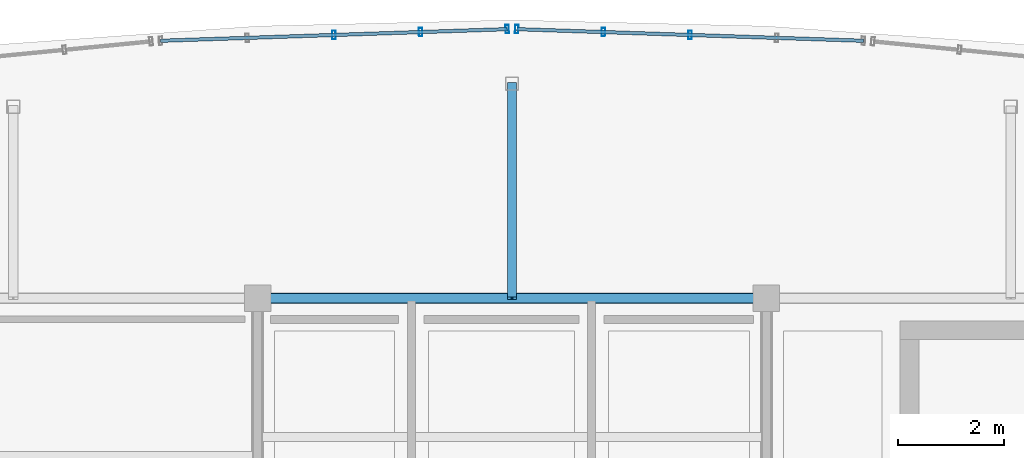
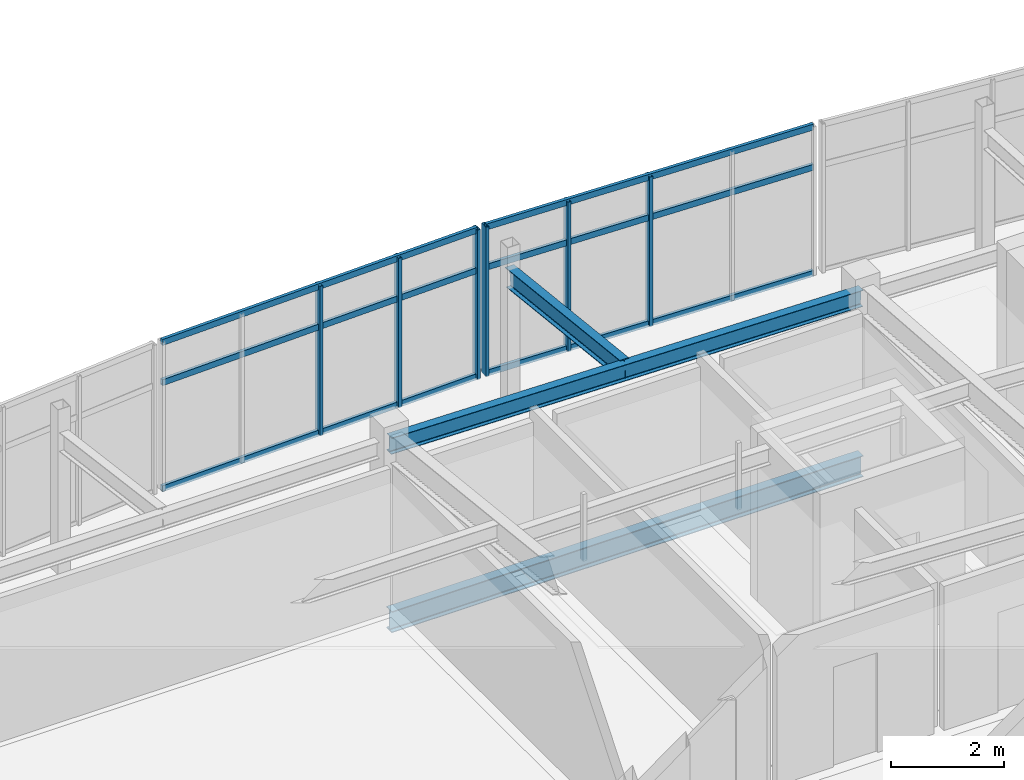
# One storey, part 46 of 65: 14 members, 1 beam, 2 elements without a shape of their own.
"""IFC4 building model written with IfcOpenShell, lengths in metres."""

from ifc_helpers import new_model, si_unit, direction, frame, origin, origin_2d, place, context, subcontext, project, spatial, hollow_rectangle, i_section, extrude, material, layer, layer_set, material_profile, profile_set, type_object, element, aggregate, save


model = new_model("IFC4")

# Units and contexts
model_context = context("Model", 3, precision=1e-05, world=origin(), true_north=direction((0.0, 1.0)))
body_context = subcontext(model_context, "Body", "Model", "MODEL_VIEW")
ifc_project = project(units=[si_unit("LENGTHUNIT", "METRE"), si_unit("AREAUNIT", "SQUARE_METRE"), si_unit("VOLUMEUNIT", "CUBIC_METRE"), si_unit("PLANEANGLEUNIT", "RADIAN"), si_unit("MASSUNIT", "GRAM", prefix="KILO")], contexts=[model_context])

# Site, building, storey
site_placement = place(None, origin())
site = spatial("IfcSite", under=ifc_project, at=site_placement, CompositionType="ELEMENT")
building_placement = place(site_placement, origin())
building = spatial("IfcBuilding", under=site, at=building_placement, Name="Chalmorin Arch Market", CompositionType="ELEMENT")
storey_placement = place(building_placement, frame((0.0, 0.0, 14.10009765625)))
storey = spatial("IfcBuildingStorey", under=building, at=storey_placement, Name="L03", CompositionType="ELEMENT", Elevation=14.10009765625)

# Curtain wall, members
ifc_material_1 = material(Name="Aluminium 6063-T6", Category="aluminium")
ifc_layer = layer(ifc_material_1, 0.159912109375)
ifc_layer_set = layer_set([ifc_layer], Name="Aluminium 6063-T6")
curtain_wall_type = type_object("IfcCurtainWallType", Name="CulinaryStudioCurtainWall-CW3-6540x3220", PredefinedType="NOTDEFINED", material=ifc_layer_set)
curtain_wall_1_placement = place(storey_placement, origin())
curtain_wall_1 = element("IfcCurtainWall", 1, at=curtain_wall_1_placement, inside=storey, type_object=curtain_wall_type, Name="CW-03-135", PredefinedType="NOTDEFINED")
ifc_material_profile_1 = material_profile(ifc_material_1, hollow_rectangle(XDim=0.06494140625, YDim=0.159912109375, WallThickness=0.00390625, at=origin_2d()), Name="ALU65X160X4")
ifc_profile_set_1 = profile_set([ifc_material_profile_1], Name="Aluminium 6063-T6")
member_type_1 = type_object("IfcMemberType", Name="CurtainWallMullion-65x160", PredefinedType="MULLION", material=ifc_profile_set_1)
member_1_placement = place(storey_placement, frame((78.239990234375, 122.967529296875, -0.02001953125), z_axis=(0.0, 0.0, 1.0), x_axis=(0.999390827019, 0.034899496703, 0.0)))
member_1 = element("IfcMember", 2, at=member_1_placement, type_object=member_type_1, Name="ML-135-03", PredefinedType="MULLION", context=body_context, shape_type="SweptSolid", body=[
    extrude(hollow_rectangle(XDim=0.06494140625, YDim=0.159912109375, WallThickness=0.00390625, at=origin_2d()), origin(), (0.0, 0.0, 1.0), 3.219970703125),
])
member_2_placement = place(storey_placement, frame((79.875, 123.022216796875, -0.02001953125), z_axis=(0.0, 0.0, 1.0), x_axis=(0.999390827019, 0.034899496703, 0.0)))
member_2 = element("IfcMember", 3, at=member_2_placement, type_object=member_type_1, Name="ML-135-04", PredefinedType="MULLION", context=body_context, shape_type="SweptSolid", body=[
    extrude(hollow_rectangle(XDim=0.06494140625, YDim=0.159912109375, WallThickness=0.00390625, at=origin_2d()), origin(), (0.0, 0.0, 1.0), 3.219970703125),
])
member_3_placement = place(storey_placement, frame((81.510009765625, 123.076904296875, -0.02001953125), z_axis=(0.0, 0.0, 1.0), x_axis=(0.999390827019, 0.034899496703, 0.0)))
member_3 = element("IfcMember", 4, at=member_3_placement, type_object=member_type_1, Name="ML-135-05", PredefinedType="MULLION", context=body_context, shape_type="SweptSolid", body=[
    extrude(hollow_rectangle(XDim=0.06494140625, YDim=0.159912109375, WallThickness=0.00390625, at=origin_2d()), origin(), (0.0, 0.0, 1.0), 3.219970703125),
])

curtain_wall_2_placement = place(storey_placement, origin())
curtain_wall_2 = element("IfcCurtainWall", 5, at=curtain_wall_2_placement, inside=storey, type_object=curtain_wall_type, Name="CW-03-138", PredefinedType="NOTDEFINED")
member_4_placement = place(storey_placement, frame((81.68994140625, 123.076904296875, -0.02001953125), z_axis=(0.0, 0.0, 1.0), x_axis=(0.999390827019, -0.034899496703, 0.0)))
member_4 = element("IfcMember", 6, at=member_4_placement, type_object=member_type_1, Name="ML-138-01", PredefinedType="MULLION", context=body_context, shape_type="SweptSolid", body=[
    extrude(hollow_rectangle(XDim=0.06494140625, YDim=0.159912109375, WallThickness=0.00390625, at=origin_2d()), origin(), (0.0, 0.0, 1.0), 3.219970703125),
])
member_5_placement = place(storey_placement, frame((83.324951171875, 123.022216796875, -0.02001953125), z_axis=(0.0, 0.0, 1.0), x_axis=(0.999390827019, -0.034899496703, 0.0)))
member_5 = element("IfcMember", 7, at=member_5_placement, type_object=member_type_1, Name="ML-138-02", PredefinedType="MULLION", context=body_context, shape_type="SweptSolid", body=[
    extrude(hollow_rectangle(XDim=0.06494140625, YDim=0.159912109375, WallThickness=0.00390625, at=origin_2d()), origin(), (0.0, 0.0, 1.0), 3.219970703125),
])
member_6_placement = place(storey_placement, frame((84.9599609375, 122.967529296875, -0.02001953125), z_axis=(0.0, 0.0, 1.0), x_axis=(0.999390827019, -0.034899496703, 0.0)))
member_6 = element("IfcMember", 8, at=member_6_placement, type_object=member_type_1, Name="ML-138-03", PredefinedType="MULLION", context=body_context, shape_type="SweptSolid", body=[
    extrude(hollow_rectangle(XDim=0.06494140625, YDim=0.159912109375, WallThickness=0.00390625, at=origin_2d()), origin(), (0.0, 0.0, 1.0), 3.219970703125),
])

# Member
ifc_material_profile_2 = material_profile(ifc_material_1, hollow_rectangle(XDim=0.06494140625, YDim=0.1298828125, WallThickness=0.00390625, at=origin_2d()), Name="ALU65X130X4")
ifc_profile_set_2 = profile_set([ifc_material_profile_2], Name="Aluminium 6063-T6")
member_type_2 = type_object("IfcMemberType", Name="CurtainWallTransom-65x130", PredefinedType="USERDEFINED", material=ifc_profile_set_2)
member_7_placement = place(storey_placement, frame((74.969970703125, 122.85791015625, 0.014892578125), z_axis=(0.999439843627, 0.033466385685, 0.0), x_axis=(-0.033466385685, 0.999439843627, 0.0)))
member_7 = element("IfcMember", 9, at=member_7_placement, type_object=member_type_2, Name="TR-135-01", ObjectType="TRANSOM", PredefinedType="USERDEFINED", context=body_context, shape_type="SweptSolid", body=[
    extrude(hollow_rectangle(XDim=0.06494140625, YDim=0.1298828125, WallThickness=0.00390625, at=origin_2d()), origin(), (0.0, 0.0, 1.0), 6.543701171875),
])

member_8_placement = place(storey_placement, frame((74.969970703125, 122.85791015625, 2.29833984375), z_axis=(0.999439843627, 0.033466385685, 0.0), x_axis=(-0.033466385685, 0.999439843627, 0.0)))
member_8 = element("IfcMember", 10, at=member_8_placement, type_object=member_type_2, Name="TR-135-02", ObjectType="TRANSOM", PredefinedType="USERDEFINED", context=body_context, shape_type="SweptSolid", body=[
    extrude(hollow_rectangle(XDim=0.06494140625, YDim=0.1298828125, WallThickness=0.00390625, at=origin_2d()), origin(), (0.0, 0.0, 1.0), 6.543701171875),
])

member_9_placement = place(storey_placement, frame((74.969970703125, 122.85791015625, 3.164794921875), z_axis=(0.999439843627, 0.033466385685, 0.0), x_axis=(-0.033466385685, 0.999439843627, 0.0)))
member_9 = element("IfcMember", 11, at=member_9_placement, type_object=member_type_2, Name="TR-135-03", ObjectType="TRANSOM", PredefinedType="USERDEFINED", context=body_context, shape_type="SweptSolid", body=[
    extrude(hollow_rectangle(XDim=0.06494140625, YDim=0.1298828125, WallThickness=0.00390625, at=origin_2d()), origin(), (0.0, 0.0, 1.0), 6.543701171875),
])

aggregate(curtain_wall_1, [member_1, member_2, member_3, member_7, member_8, member_9])

member_10_placement = place(storey_placement, frame((81.68994140625, 123.076904296875, 0.014892578125), z_axis=(0.999439843627, -0.033466385685, 0.0), x_axis=(0.033466385685, 0.999439843627, 0.0)))
member_10 = element("IfcMember", 12, at=member_10_placement, type_object=member_type_2, Name="TR-138-01", ObjectType="TRANSOM", PredefinedType="USERDEFINED", context=body_context, shape_type="SweptSolid", body=[
    extrude(hollow_rectangle(XDim=0.06494140625, YDim=0.1298828125, WallThickness=0.00390625, at=origin_2d()), origin(), (0.0, 0.0, 1.0), 6.543701171875),
])

member_11_placement = place(storey_placement, frame((81.68994140625, 123.076904296875, 2.29833984375), z_axis=(0.999439843627, -0.033466385685, 0.0), x_axis=(0.033466385685, 0.999439843627, 0.0)))
member_11 = element("IfcMember", 13, at=member_11_placement, type_object=member_type_2, Name="TR-138-02", ObjectType="TRANSOM", PredefinedType="USERDEFINED", context=body_context, shape_type="SweptSolid", body=[
    extrude(hollow_rectangle(XDim=0.06494140625, YDim=0.1298828125, WallThickness=0.00390625, at=origin_2d()), origin(), (0.0, 0.0, 1.0), 6.543701171875),
])

member_12_placement = place(storey_placement, frame((81.68994140625, 123.076904296875, 3.164794921875), z_axis=(0.999439843627, -0.033466385685, 0.0), x_axis=(0.033466385685, 0.999439843627, 0.0)))
member_12 = element("IfcMember", 14, at=member_12_placement, type_object=member_type_2, Name="TR-138-03", ObjectType="TRANSOM", PredefinedType="USERDEFINED", context=body_context, shape_type="SweptSolid", body=[
    extrude(hollow_rectangle(XDim=0.06494140625, YDim=0.1298828125, WallThickness=0.00390625, at=origin_2d()), origin(), (0.0, 0.0, 1.0), 6.543701171875),
])

aggregate(curtain_wall_2, [member_4, member_5, member_6, member_10, member_11, member_12])

# Beam
ifc_material_2 = material(Name="Steel A992 Grade 50", Category="steel")
ifc_material_profile_3 = material_profile(ifc_material_2, i_section(OverallWidth=0.19091796875, OverallDepth=0.45703125, WebThickness=0.009033203125, FlangeThickness=0.014404296875, FilletRadius=0.02001953125, at=origin_2d()), Name="W18X50")
ifc_profile_set_3 = profile_set([ifc_material_profile_3], Name="Steel A992 Grade 50")
beam_type = type_object("IfcBeamType", Name="PerimeterSpandrelBeam-W18X50", PredefinedType="SPANDREL", material=ifc_profile_set_3)
beam_placement = place(storey_placement, frame((76.800048828125, 118.0, -0.510498046875), z_axis=(1.0, 0.0, 0.0), x_axis=(0.0, 1.0, 0.0)))
element("IfcBeam", 15, at=beam_placement, inside=storey, type_object=beam_type, Name="SP-W18-1424", PredefinedType="SPANDREL", context=body_context, shape_type="SweptSolid", body=[
    extrude(i_section(OverallWidth=0.19091796875, OverallDepth=0.45703125, WebThickness=0.009033203125, FlangeThickness=0.014404296875, FilletRadius=0.02001953125, at=origin_2d()), origin(), (0.0, 0.0, 1.0), 9.599853515625),
])

# Members
ifc_material_profile_4 = material_profile(ifc_material_2, i_section(OverallWidth=0.1708984375, OverallDepth=0.35107421875, WebThickness=0.0068359375, FlangeThickness=0.009765625, FilletRadius=0.014892578125, at=origin_2d()), Name="W14X30")
ifc_profile_set_4 = profile_set([ifc_material_profile_4], Name="Steel A992 Grade 50")
member_type_3 = type_object("IfcMemberType", Name="RoofSteelPurlin-W14X30", PredefinedType="PURLIN", material=ifc_profile_set_4)
member_13_placement = place(storey_placement, frame((76.800048828125, 118.0, 3.27099609375), z_axis=(0.999831933201, 0.0, -0.018333176263), x_axis=(0.0, 1.0, 0.0)))
element("IfcMember", 16, at=member_13_placement, inside=storey, type_object=member_type_3, Name="PR-W14-0122", PredefinedType="PURLIN", context=body_context, shape_type="SweptSolid", body=[
    extrude(i_section(OverallWidth=0.1708984375, OverallDepth=0.35107421875, WebThickness=0.0068359375, FlangeThickness=0.009765625, FilletRadius=0.014892578125, at=origin_2d()), origin(), (0.0, 0.0, 1.0), 9.6015625),
])
ifc_material_profile_5 = material_profile(ifc_material_2, i_section(OverallWidth=0.178955078125, OverallDepth=0.409912109375, WebThickness=0.0087890625, FlangeThickness=0.014404296875, FilletRadius=0.01806640625, at=origin_2d()), Name="W16X45")
ifc_profile_set_5 = profile_set([ifc_material_profile_5], Name="Steel A992 Grade 50")
member_type_4 = type_object("IfcMemberType", Name="RoofSteelPurlin-W16X45", PredefinedType="PURLIN", material=ifc_profile_set_5)
member_14_placement = place(storey_placement, frame((81.60009765625, 122.050048828125, 2.751953125), z_axis=(0.0, -0.993911468232, 0.110181637837), x_axis=(1.0, 0.0, 0.0)))
element("IfcMember", 17, at=member_14_placement, inside=storey, type_object=member_type_4, Name="PR-W16-0131", PredefinedType="PURLIN", context=body_context, shape_type="SweptSolid", body=[
    extrude(i_section(OverallWidth=0.178955078125, OverallDepth=0.409912109375, WebThickness=0.0087890625, FlangeThickness=0.014404296875, FilletRadius=0.01806640625, at=origin_2d()), origin(), (0.0, 0.0, 1.0), 4.074951171875),
])

save(model, "model.ifc")
